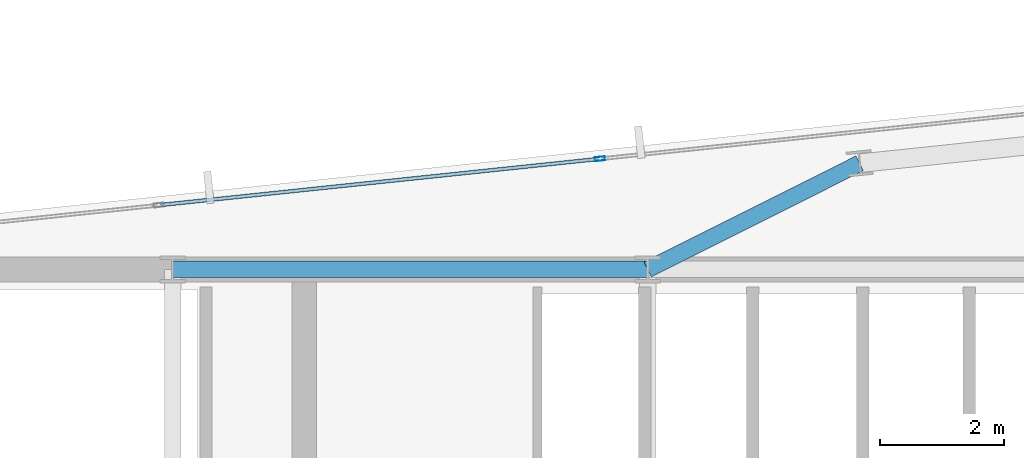
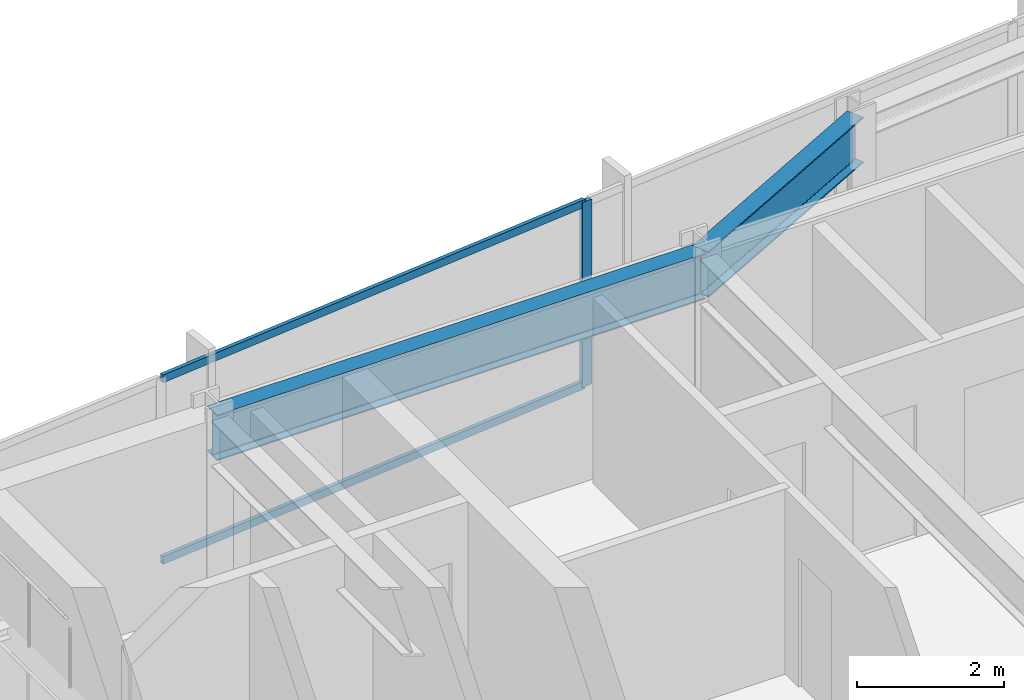
# One storey, part 21 of 32: 3 members, 2 beams, 1 element without a shape of its own.
"""IFC4 building model written with IfcOpenShell, lengths in metres."""

from ifc_helpers import new_model, si_unit, direction, frame, origin, origin_2d, place, context, subcontext, project, spatial, hollow_rectangle, i_section, extrude, material, material_profile, profile_set, type_object, element, aggregate, save


model = new_model("IFC4")

# Units and contexts
model_context = context("Model", 3, precision=1e-05, world=origin(), true_north=direction((0.0, 1.0)))
body_context = subcontext(model_context, "Body", "Model", "MODEL_VIEW")
ifc_project = project(units=[si_unit("LENGTHUNIT", "METRE"), si_unit("AREAUNIT", "SQUARE_METRE"), si_unit("VOLUMEUNIT", "CUBIC_METRE"), si_unit("PLANEANGLEUNIT", "RADIAN"), si_unit("MASSUNIT", "GRAM", prefix="KILO")], contexts=[model_context])

# Site, building, storey
site_placement = place(None, origin())
site = spatial("IfcSite", under=ifc_project, at=site_placement, CompositionType="ELEMENT")
building_placement = place(site_placement, origin())
building = spatial("IfcBuilding", under=site, at=building_placement, Name="Yelkora Congress Tower", CompositionType="ELEMENT")
storey_placement = place(building_placement, frame((0.0, 0.0, 207.800048828125)))
storey = spatial("IfcBuildingStorey", under=building, at=storey_placement, Name="L57", CompositionType="ELEMENT", Elevation=207.800048828125)

# Beams
ifc_material_1 = material(Name="Steel S355J2", Category="steel")
ifc_material_profile_1 = material_profile(ifc_material_1, i_section(OverallWidth=0.26708984375, OverallDepth=0.761962890625, WebThickness=0.014404296875, FlangeThickness=0.021484375, FilletRadius=0.01708984375, at=origin_2d()), Name="IPE 750x173")
ifc_profile_set_1 = profile_set([ifc_material_profile_1], Name="Steel S355J2")
beam_type = type_object("IfcBeamType", Name="BM-GIRD-IPE750", PredefinedType="BEAM", material=ifc_profile_set_1)
beam_1_placement = place(storey_placement, frame((30.719970703125, 46.199951171875, 2.698974609375), z_axis=(1.0, 0.0, 0.0), x_axis=(0.0, 1.0, 0.0)))
element("IfcBeam", 1, at=beam_1_placement, inside=storey, type_object=beam_type, Name="L57 Core North Girder 3", PredefinedType="BEAM", context=body_context, shape_type="SweptSolid", body=[
    extrude(i_section(OverallWidth=0.26708984375, OverallDepth=0.761962890625, WebThickness=0.014404296875, FlangeThickness=0.021484375, FilletRadius=0.01708984375, at=origin_2d()), origin(), (0.0, 0.0, 1.0), 7.679931640625),
])
beam_2_placement = place(storey_placement, frame((41.828125, 47.91748046875, 2.698974609375), z_axis=(-0.894070348256, -0.447926570288, 0.0), x_axis=(0.447926570288, -0.894070348256, 0.0)))
element("IfcBeam", 2, at=beam_2_placement, inside=storey, type_object=beam_type, Name="L57 Primary Frame Girder N04", PredefinedType="BEAM", context=body_context, shape_type="SweptSolid", body=[
    extrude(i_section(OverallWidth=0.26708984375, OverallDepth=0.761962890625, WebThickness=0.014404296875, FlangeThickness=0.021484375, FilletRadius=0.01708984375, at=origin_2d()), origin(), (0.0, 0.0, 1.0), 3.83447265625),
])

# Curtain wall, members
ifc_material_2 = material(Name="Anodised aluminium and insulated glass", Category="aluminium")
curtain_wall_type = type_object("IfcCurtainWallType", Name="CW-SYS-B4", PredefinedType="NOTDEFINED", material=ifc_material_2)
curtain_wall_placement = place(storey_placement, origin())
curtain_wall = element("IfcCurtainWall", 3, at=curtain_wall_placement, inside=storey, type_object=curtain_wall_type, Name="L57 Unitised Curtain Wall 10 (3)", PredefinedType="NOTDEFINED")
ifc_material_3 = material(Name="Anodised aluminium 6063-T6", Category="aluminium")
ifc_material_profile_2 = material_profile(ifc_material_3, hollow_rectangle(XDim=0.06494140625, YDim=0.159912109375, WallThickness=0.00390625, at=origin_2d()), Name="ALU 65x160x4")
ifc_profile_set_2 = profile_set([ifc_material_profile_2], Name="Anodised aluminium 6063-T6")
member_type_1 = type_object("IfcMemberType", Name="MEM-ML-B4", PredefinedType="MULLION", material=ifc_profile_set_2)
member_1_placement = place(storey_placement, frame((37.62744140625, 47.98876953125, 0.0), z_axis=(0.0, 0.0, 1.0), x_axis=(-0.104527724021, 0.994521973066, 0.0)))
member_1 = element("IfcMember", 4, at=member_1_placement, type_object=member_type_1, Name="CW-B4 mullion 3", PredefinedType="MULLION", context=body_context, shape_type="SweptSolid", body=[
    extrude(hollow_rectangle(XDim=0.06494140625, YDim=0.159912109375, WallThickness=0.00390625, at=origin_2d()), origin(), (0.0, 0.0, 1.0), 3.079833984375),
])
ifc_material_profile_3 = material_profile(ifc_material_3, hollow_rectangle(XDim=0.06005859375, YDim=0.1298828125, WallThickness=0.00390625, at=origin_2d()), Name="ALU 60x130x4")
ifc_profile_set_3 = profile_set([ifc_material_profile_3], Name="Anodised aluminium 6063-T6")
member_type_2 = type_object("IfcMemberType", Name="MEM-TR-B4", PredefinedType="USERDEFINED", material=ifc_profile_set_3)
member_2_placement = place(storey_placement, frame((30.529052734375, 47.24267578125, 0.030029296875), z_axis=(0.99452200925, 0.104527379751, 0.0), x_axis=(-0.104527379751, 0.99452200925, 0.0)))
member_2 = element("IfcMember", 5, at=member_2_placement, type_object=member_type_2, Name="CW-B4 transom 2.1", ObjectType="TRANSOM", PredefinedType="USERDEFINED", context=body_context, shape_type="SweptSolid", body=[
    extrude(hollow_rectangle(XDim=0.06005859375, YDim=0.1298828125, WallThickness=0.00390625, at=origin_2d()), origin(), (0.0, 0.0, 1.0), 7.10498046875),
])
member_3_placement = place(storey_placement, frame((30.529052734375, 47.24267578125, 3.050048828125), z_axis=(0.99452200925, 0.104527379751, 0.0), x_axis=(-0.104527379751, 0.99452200925, 0.0)))
member_3 = element("IfcMember", 6, at=member_3_placement, type_object=member_type_2, Name="CW-B4 transom 2.2", ObjectType="TRANSOM", PredefinedType="USERDEFINED", context=body_context, shape_type="SweptSolid", body=[
    extrude(hollow_rectangle(XDim=0.06005859375, YDim=0.1298828125, WallThickness=0.00390625, at=origin_2d()), origin(), (0.0, 0.0, 1.0), 7.10498046875),
])
aggregate(curtain_wall, [member_1, member_2, member_3])

save(model, "model.ifc")
